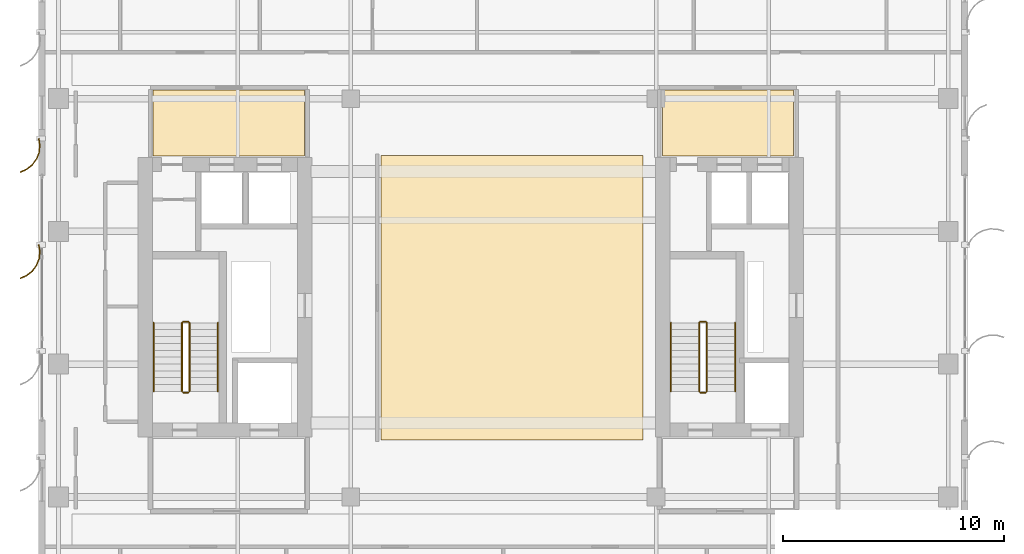
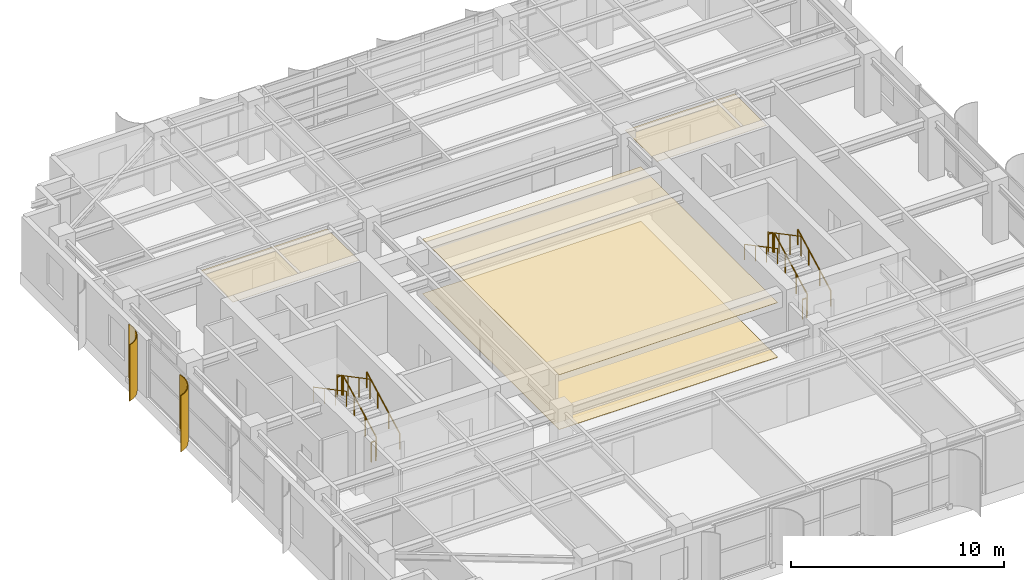
# One storey, part 24 of 25: 12 railings, 4 coverings, 2 shading devices.
"""IFC4 building model written with IfcOpenShell, lengths in metres."""

from ifc_helpers import new_model, si_unit, direction, frame, origin, origin_2d, place, context, subcontext, project, spatial, polyline, circle, outline, extrude, source, transform, mapped, material, layer, layer_set, type_object, element, save


model = new_model("IFC4")

# Units and contexts
model_context = context("Model", 3, precision=1e-05, world=origin(), true_north=direction((0.0, 1.0)))
body_context = subcontext(model_context, "Body", "Model", "MODEL_VIEW")
ifc_project = project(units=[si_unit("LENGTHUNIT", "METRE"), si_unit("AREAUNIT", "SQUARE_METRE"), si_unit("VOLUMEUNIT", "CUBIC_METRE"), si_unit("PLANEANGLEUNIT", "RADIAN"), si_unit("MASSUNIT", "GRAM", prefix="KILO")], contexts=[model_context])

# Site, building, storey
site_placement = place(None, origin())
site = spatial("IfcSite", under=ifc_project, at=site_placement, CompositionType="ELEMENT")
building_placement = place(site_placement, origin())
building = spatial("IfcBuilding", under=site, at=building_placement, Name="Khoralis Quay Care Tower", CompositionType="ELEMENT")
storey_placement = place(building_placement, frame((0.0, 0.0, 216.89990234375)))
storey = spatial("IfcBuildingStorey", under=building, at=storey_placement, Name="L57", CompositionType="ELEMENT", Elevation=216.89990234375)

# Coverings
ifc_material_1 = material(Name="Mineral-fibre acoustic ceiling tile")
ifc_layer_1 = layer(ifc_material_1, 0.01806640625)
ifc_layer_set_1 = layer_set([ifc_layer_1], Name="Mineral-fibre acoustic ceiling tile")
covering_type_1 = type_object("IfcCoveringType", Name="COV-CEIL-AC18", PredefinedType="CEILING", material=ifc_layer_set_1)
covering_1_placement = place(storey_placement, frame((0.0, 0.0, 3.132080078125)))
element("IfcCovering", 1, at=covering_1_placement, inside=storey, type_object=covering_type_1, Name="Suspended Acoustic Ceiling SP-L57-LLOB-W", PredefinedType="CEILING", context=body_context, shape_type="SweptSolid", body=[
    extrude(outline(polyline([(8.179931640625, 27.39990234375), (15.02001953125, 27.39990234375), (15.02001953125, 30.389892578125), (8.179931640625, 30.389892578125), (8.179931640625, 27.39990234375)])), origin(), (0.0, 0.0, 1.0), 0.01806640625),
])
covering_2_placement = place(storey_placement, frame((0.0, 0.0, 3.132080078125)))
element("IfcCovering", 2, at=covering_2_placement, inside=storey, type_object=covering_type_1, Name="Suspended Acoustic Ceiling SP-L57-LLOB-E", PredefinedType="CEILING", context=body_context, shape_type="SweptSolid", body=[
    extrude(outline(polyline([(31.179931640625, 27.39990234375), (37.1201171875, 27.39990234375), (37.1201171875, 30.389892578125), (31.179931640625, 30.389892578125), (31.179931640625, 27.39990234375)])), origin(), (0.0, 0.0, 1.0), 0.01806640625),
])
covering_3_placement = place(storey_placement, frame((0.0, 0.0, 3.132080078125)))
element("IfcCovering", 3, at=covering_3_placement, inside=storey, type_object=covering_type_1, Name="Suspended Acoustic Ceiling SP-L57-SKYLNG", PredefinedType="CEILING", context=body_context, shape_type="SweptSolid", body=[
    extrude(outline(polyline([(18.47998046875, 14.580078125), (30.320068359375, 14.580078125), (30.320068359375, 27.419921875), (18.47998046875, 27.419921875), (18.47998046875, 14.580078125)])), origin(), (0.0, 0.0, 1.0), 0.01806640625),
])
ifc_material_2 = material(Name="Porcelain and non-slip vinyl flooring")
ifc_layer_2 = layer(ifc_material_2, 0.02001953125)
ifc_layer_set_2 = layer_set([ifc_layer_2], Name="Porcelain and non-slip vinyl flooring")
covering_type_2 = type_object("IfcCoveringType", Name="COV-FLOOR-20", PredefinedType="FLOORING", material=ifc_layer_set_2)
covering_4_placement = place(storey_placement, origin())
element("IfcCovering", 4, at=covering_4_placement, inside=storey, type_object=covering_type_2, Name="Resilient Healthcare Flooring SP-L57-SKYLNG", PredefinedType="FLOORING", context=body_context, shape_type="SweptSolid", body=[
    extrude(outline(polyline([(18.47998046875, 14.580078125), (30.320068359375, 14.580078125), (30.320068359375, 27.419921875), (18.47998046875, 27.419921875), (18.47998046875, 14.580078125)])), origin(), (0.0, 0.0, 1.0), 0.02001953125),
])

# Railings
ifc_material_3 = material(Name="Brushed stainless steel", Category="steel")
railing_type_1 = type_object("IfcRailingType", Name="RL-GUARD-1150", PredefinedType="GUARDRAIL", material=ifc_material_3)
railing_1_placement = place(storey_placement, frame((9.820068359375, 16.77001953125, 0.163818359375)))
element("IfcRailing", 5, at=railing_1_placement, inside=storey, type_object=railing_type_1, Name="L57 ST-T1 stair guard 1", PredefinedType="GUARDRAIL", context=body_context, shape_type="SweptSolid", body=[
    extrude(circle(Radius=0.02392578125, at=origin_2d()), frame((0.0, 0.0, 1.1259765625), z_axis=(0.0, 0.884376766648, 0.46677375099), x_axis=(-1.0, 0.0, 0.0)), (0.0, 0.0, 1.0), 3.50537109375),
    extrude(circle(Radius=0.02099609375, at=origin_2d()), origin(), (0.0, 0.0, 1.0), 1.101806640625),
    extrude(circle(Radius=0.02099609375, at=origin_2d()), frame((0.0, 1.033447265625, 0.54541015625)), (0.0, 0.0, 1.0), 1.101806640625),
    extrude(circle(Radius=0.02099609375, at=origin_2d()), frame((0.0, 2.066650390625, 1.0908203125)), (0.0, 0.0, 1.0), 1.101806640625),
    extrude(circle(Radius=0.02099609375, at=origin_2d()), frame((0.0, 3.10009765625, 1.63623046875)), (0.0, 0.0, 1.0), 1.101806640625),
])
railing_2_placement = place(storey_placement, frame((9.77001953125, 19.919921875, 1.800048828125)))
element("IfcRailing", 6, at=railing_2_placement, inside=storey, type_object=railing_type_1, Name="L57 ST-T1 stair guard 2", PredefinedType="GUARDRAIL", context=body_context, shape_type="SweptSolid", body=[
    extrude(circle(Radius=0.02392578125, at=origin_2d()), frame((0.0, 0.0, 1.1259765625), z_axis=(-1.0, 0.0, 0.0), x_axis=(0.0, -1.0, 0.0)), (0.0, 0.0, 1.0), 0.239990234375),
    extrude(circle(Radius=0.02099609375, at=origin_2d()), origin(), (0.0, 0.0, 1.0), 1.101806640625),
    extrude(circle(Radius=0.02099609375, at=origin_2d()), frame((-0.239990234375, 0.0, 0.0)), (0.0, 0.0, 1.0), 1.101806640625),
])
railing_3_placement = place(storey_placement, frame((9.47998046875, 19.8701171875, 1.963623046875)))
element("IfcRailing", 7, at=railing_3_placement, inside=storey, type_object=railing_type_1, Name="L57 ST-T1 stair guard 3", PredefinedType="GUARDRAIL", context=body_context, shape_type="SweptSolid", body=[
    extrude(circle(Radius=0.02392578125, at=origin_2d()), frame((0.0, 0.0, 1.1259765625), z_axis=(0.0, -0.884348015382, 0.466828220752), x_axis=(1.0, 0.0, 0.0)), (0.0, 0.0, 1.0), 3.505615234375),
    extrude(circle(Radius=0.02099609375, at=origin_2d()), origin(), (0.0, 0.0, 1.0), 1.101806640625),
    extrude(circle(Radius=0.02099609375, at=origin_2d()), frame((0.0, -1.033447265625, 0.54541015625)), (0.0, 0.0, 1.0), 1.101806640625),
    extrude(circle(Radius=0.02099609375, at=origin_2d()), frame((0.0, -2.066650390625, 1.091064453125)), (0.0, 0.0, 1.0), 1.101806640625),
    extrude(circle(Radius=0.02099609375, at=origin_2d()), frame((0.0, -3.10009765625, 1.636474609375)), (0.0, 0.0, 1.0), 1.101806640625),
])
railing_4_placement = place(storey_placement, frame((9.77001953125, 16.719970703125, 0.0)))
element("IfcRailing", 8, at=railing_4_placement, inside=storey, type_object=railing_type_1, Name="L57 ST-T1 stair guard 4", PredefinedType="GUARDRAIL", context=body_context, shape_type="SweptSolid", body=[
    extrude(circle(Radius=0.02392578125, at=origin_2d()), frame((0.0, 0.0, 1.1259765625), z_axis=(-1.0, 0.0, 0.0), x_axis=(0.0, -1.0, 0.0)), (0.0, 0.0, 1.0), 0.239990234375),
    extrude(circle(Radius=0.02099609375, at=origin_2d()), origin(), (0.0, 0.0, 1.0), 1.101806640625),
    extrude(circle(Radius=0.02099609375, at=origin_2d()), frame((-0.239990234375, 0.0, 0.0)), (0.0, 0.0, 1.0), 1.101806640625),
])
railing_5_placement = place(storey_placement, frame((33.18994140625, 16.77001953125, 0.163818359375)))
element("IfcRailing", 9, at=railing_5_placement, inside=storey, type_object=railing_type_1, Name="L57 ST-T2 stair guard 1", PredefinedType="GUARDRAIL", context=body_context, shape_type="SweptSolid", body=[
    extrude(circle(Radius=0.02392578125, at=origin_2d()), frame((0.0, 0.0, 1.1259765625), z_axis=(0.0, 0.884376766648, 0.46677375099), x_axis=(-1.0, 0.0, 0.0)), (0.0, 0.0, 1.0), 3.50537109375),
    extrude(circle(Radius=0.02099609375, at=origin_2d()), origin(), (0.0, 0.0, 1.0), 1.101806640625),
    extrude(circle(Radius=0.02099609375, at=origin_2d()), frame((0.0, 1.033447265625, 0.54541015625)), (0.0, 0.0, 1.0), 1.101806640625),
    extrude(circle(Radius=0.02099609375, at=origin_2d()), frame((0.0, 2.066650390625, 1.0908203125)), (0.0, 0.0, 1.0), 1.101806640625),
    extrude(circle(Radius=0.02099609375, at=origin_2d()), frame((0.0, 3.10009765625, 1.63623046875)), (0.0, 0.0, 1.0), 1.101806640625),
])
railing_6_placement = place(storey_placement, frame((33.139892578125, 19.919921875, 1.800048828125)))
element("IfcRailing", 10, at=railing_6_placement, inside=storey, type_object=railing_type_1, Name="L57 ST-T2 stair guard 2", PredefinedType="GUARDRAIL", context=body_context, shape_type="SweptSolid", body=[
    extrude(circle(Radius=0.02392578125, at=origin_2d()), frame((0.0, 0.0, 1.1259765625), z_axis=(-1.0, 0.0, 0.0), x_axis=(0.0, -1.0, 0.0)), (0.0, 0.0, 1.0), 0.239990234375),
    extrude(circle(Radius=0.02099609375, at=origin_2d()), origin(), (0.0, 0.0, 1.0), 1.101806640625),
    extrude(circle(Radius=0.02099609375, at=origin_2d()), frame((-0.239990234375, 0.0, 0.0)), (0.0, 0.0, 1.0), 1.101806640625),
])
railing_7_placement = place(storey_placement, frame((32.85009765625, 19.8701171875, 1.963623046875)))
element("IfcRailing", 11, at=railing_7_placement, inside=storey, type_object=railing_type_1, Name="L57 ST-T2 stair guard 3", PredefinedType="GUARDRAIL", context=body_context, shape_type="SweptSolid", body=[
    extrude(circle(Radius=0.02392578125, at=origin_2d()), frame((0.0, 0.0, 1.1259765625), z_axis=(0.0, -0.884348015382, 0.466828220752), x_axis=(1.0, 0.0, 0.0)), (0.0, 0.0, 1.0), 3.505615234375),
    extrude(circle(Radius=0.02099609375, at=origin_2d()), origin(), (0.0, 0.0, 1.0), 1.101806640625),
    extrude(circle(Radius=0.02099609375, at=origin_2d()), frame((0.0, -1.033447265625, 0.54541015625)), (0.0, 0.0, 1.0), 1.101806640625),
    extrude(circle(Radius=0.02099609375, at=origin_2d()), frame((0.0, -2.066650390625, 1.091064453125)), (0.0, 0.0, 1.0), 1.101806640625),
    extrude(circle(Radius=0.02099609375, at=origin_2d()), frame((0.0, -3.10009765625, 1.636474609375)), (0.0, 0.0, 1.0), 1.101806640625),
])
railing_8_placement = place(storey_placement, frame((33.139892578125, 16.719970703125, 0.0)))
element("IfcRailing", 12, at=railing_8_placement, inside=storey, type_object=railing_type_1, Name="L57 ST-T2 stair guard 4", PredefinedType="GUARDRAIL", context=body_context, shape_type="SweptSolid", body=[
    extrude(circle(Radius=0.02392578125, at=origin_2d()), frame((0.0, 0.0, 1.1259765625), z_axis=(-1.0, 0.0, 0.0), x_axis=(0.0, -1.0, 0.0)), (0.0, 0.0, 1.0), 0.239990234375),
    extrude(circle(Radius=0.02099609375, at=origin_2d()), origin(), (0.0, 0.0, 1.0), 1.101806640625),
    extrude(circle(Radius=0.02099609375, at=origin_2d()), frame((-0.239990234375, 0.0, 0.0)), (0.0, 0.0, 1.0), 1.101806640625),
])
railing_type_2 = type_object("IfcRailingType", Name="RL-HAND-900", PredefinedType="HANDRAIL", material=ifc_material_3)
railing_9_placement = place(storey_placement, frame((11.10009765625, 16.77001953125, 0.163818359375)))
element("IfcRailing", 13, at=railing_9_placement, inside=storey, type_object=railing_type_2, Name="L57 ST-T1 stair handrail 1", PredefinedType="HANDRAIL", context=body_context, shape_type="SweptSolid", body=[
    extrude(circle(Radius=0.02392578125, at=origin_2d()), frame((0.0, 0.0, 0.8759765625), z_axis=(0.0, 0.884376766648, 0.46677375099), x_axis=(-1.0, 0.0, 0.0)), (0.0, 0.0, 1.0), 3.50537109375),
    extrude(circle(Radius=0.02099609375, at=origin_2d()), origin(), (0.0, 0.0, 1.0), 0.851806640625),
    extrude(circle(Radius=0.02099609375, at=origin_2d()), frame((0.0, 1.033447265625, 0.54541015625)), (0.0, 0.0, 1.0), 0.851806640625),
    extrude(circle(Radius=0.02099609375, at=origin_2d()), frame((0.0, 2.066650390625, 1.0908203125)), (0.0, 0.0, 1.0), 0.851806640625),
    extrude(circle(Radius=0.02099609375, at=origin_2d()), frame((0.0, 3.10009765625, 1.63623046875)), (0.0, 0.0, 1.0), 0.851806640625),
])
railing_10_placement = place(storey_placement, frame((8.199951171875, 19.8701171875, 1.963623046875)))
element("IfcRailing", 14, at=railing_10_placement, inside=storey, type_object=railing_type_2, Name="L57 ST-T1 stair handrail 2", PredefinedType="HANDRAIL", context=body_context, shape_type="SweptSolid", body=[
    extrude(circle(Radius=0.02392578125, at=origin_2d()), frame((0.0, 0.0, 0.8759765625), z_axis=(0.0, -0.884348015382, 0.466828220752), x_axis=(1.0, 0.0, 0.0)), (0.0, 0.0, 1.0), 3.505615234375),
    extrude(circle(Radius=0.02099609375, at=origin_2d()), origin(), (0.0, 0.0, 1.0), 0.851806640625),
    extrude(circle(Radius=0.02099609375, at=origin_2d()), frame((0.0, -1.033447265625, 0.54541015625)), (0.0, 0.0, 1.0), 0.851806640625),
    extrude(circle(Radius=0.02099609375, at=origin_2d()), frame((0.0, -2.066650390625, 1.091064453125)), (0.0, 0.0, 1.0), 0.851806640625),
    extrude(circle(Radius=0.02099609375, at=origin_2d()), frame((0.0, -3.10009765625, 1.636474609375)), (0.0, 0.0, 1.0), 0.851806640625),
])
railing_11_placement = place(storey_placement, frame((34.469970703125, 16.77001953125, 0.163818359375)))
element("IfcRailing", 15, at=railing_11_placement, inside=storey, type_object=railing_type_2, Name="L57 ST-T2 stair handrail 1", PredefinedType="HANDRAIL", context=body_context, shape_type="SweptSolid", body=[
    extrude(circle(Radius=0.02392578125, at=origin_2d()), frame((0.0, 0.0, 0.8759765625), z_axis=(0.0, 0.884376766648, 0.46677375099), x_axis=(-1.0, 0.0, 0.0)), (0.0, 0.0, 1.0), 3.50537109375),
    extrude(circle(Radius=0.02099609375, at=origin_2d()), origin(), (0.0, 0.0, 1.0), 0.851806640625),
    extrude(circle(Radius=0.02099609375, at=origin_2d()), frame((0.0, 1.033447265625, 0.54541015625)), (0.0, 0.0, 1.0), 0.851806640625),
    extrude(circle(Radius=0.02099609375, at=origin_2d()), frame((0.0, 2.066650390625, 1.0908203125)), (0.0, 0.0, 1.0), 0.851806640625),
    extrude(circle(Radius=0.02099609375, at=origin_2d()), frame((0.0, 3.10009765625, 1.63623046875)), (0.0, 0.0, 1.0), 0.851806640625),
])
railing_12_placement = place(storey_placement, frame((31.570068359375, 19.8701171875, 1.963623046875)))
element("IfcRailing", 16, at=railing_12_placement, inside=storey, type_object=railing_type_2, Name="L57 ST-T2 stair handrail 2", PredefinedType="HANDRAIL", context=body_context, shape_type="SweptSolid", body=[
    extrude(circle(Radius=0.02392578125, at=origin_2d()), frame((0.0, 0.0, 0.8759765625), z_axis=(0.0, -0.884348015382, 0.466828220752), x_axis=(1.0, 0.0, 0.0)), (0.0, 0.0, 1.0), 3.505615234375),
    extrude(circle(Radius=0.02099609375, at=origin_2d()), origin(), (0.0, 0.0, 1.0), 0.851806640625),
    extrude(circle(Radius=0.02099609375, at=origin_2d()), frame((0.0, -1.033447265625, 0.54541015625)), (0.0, 0.0, 1.0), 0.851806640625),
    extrude(circle(Radius=0.02099609375, at=origin_2d()), frame((0.0, -2.066650390625, 1.091064453125)), (0.0, 0.0, 1.0), 0.851806640625),
    extrude(circle(Radius=0.02099609375, at=origin_2d()), frame((0.0, -3.10009765625, 1.636474609375)), (0.0, 0.0, 1.0), 0.851806640625),
])

# Shading devices
ifc_material_4 = material(Name="Brushed pale anodised aluminium", Category="aluminium")
ifc_layer_3 = layer(ifc_material_4, 0.044921875)
ifc_layer_set_3 = layer_set([ifc_layer_3], Name="Brushed pale anodised aluminium")
shading_device_type = type_object("IfcShadingDeviceType", Name="SHD-FIN-1250", PredefinedType="USERDEFINED", material=ifc_layer_set_3)
shared_shape = source(origin(), body_context, "Body", "SweptSolid", [
    extrude(outline(polyline([(0.0, 0.0), (-0.04833984375, 0.32275390625), (-0.01123046875, 0.64697265625), (0.1083984375, 0.950439453125), (0.302490234375, 1.212890625), (0.557861328125, 1.416015625), (0.85693359375, 1.546142578125), (0.869384765625, 1.5029296875), (0.5810546875, 1.37744140625), (0.334716796875, 1.181640625), (0.147705078125, 0.9287109375), (0.032470703125, 0.635986328125), (-0.003173828125, 0.323486328125), (0.043212890625, 0.012451171875), (0.0, 0.0)])), origin(), (0.0, 0.0, 1.0), 3.219970703125),
])
for number, where, z_axis, x_axis, name in (
    (17, (3.030029296875, 28.199951171875, 0.02001953125), (0.0, 0.0, 1.0), (-1.0, 0.0, 0.0), "L57 Curved Solar Fin P1E15-02"),
    (18, (3.030029296875, 23.39990234375, 0.02001953125), (0.0, 0.0, 1.0), (-1.0, 0.0, 0.0), "L57 Curved Solar Fin P1E15-03"),
):
    element("IfcShadingDevice", number, at=place(storey_placement, frame(where, z_axis=z_axis, x_axis=x_axis)), inside=storey, type_object=shading_device_type, Name=name, ObjectType="FIN", PredefinedType="USERDEFINED", context=body_context, shape_type="MappedRepresentation", body=[
        mapped(shared_shape, transform((0.0, 0.0, 0.0), scale=1.0)),
    ])

save(model, "model.ifc")
